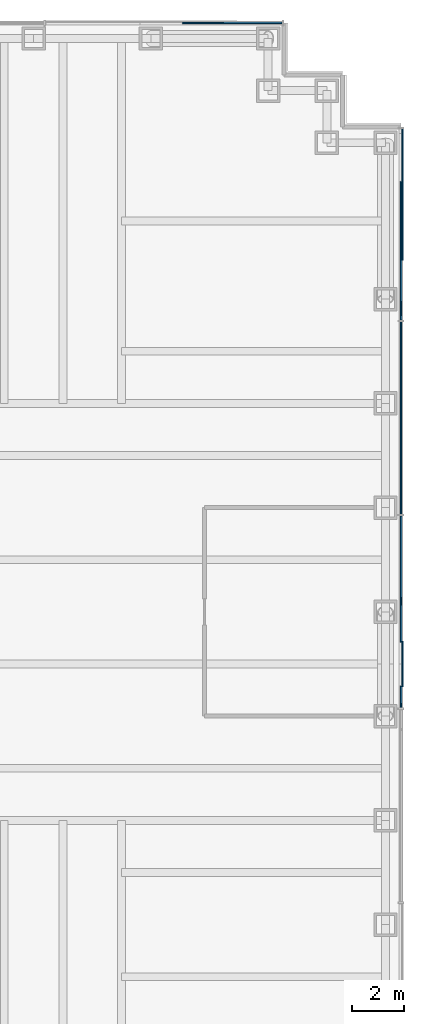
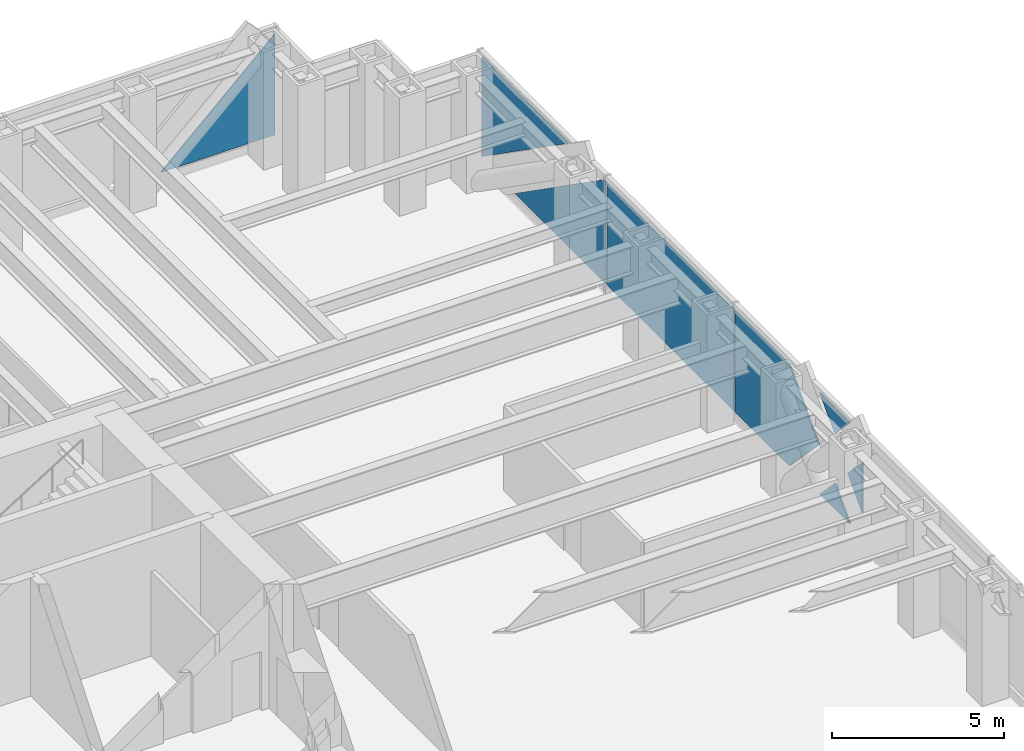
# One storey, part 12 of 17: 8 plates, 2 elements without a shape of their own.
"""IFC4 building model written with IfcOpenShell, lengths in metres."""

from ifc_helpers import new_model, si_unit, direction, frame, origin, origin_2d, place, context, subcontext, project, spatial, polyline, rectangle, outline, extrude, material, layer, layer_set, type_object, element, aggregate, save


model = new_model("IFC4")

# Units and contexts
model_context = context("Model", 3, precision=1e-05, world=origin(), true_north=direction((0.0, 1.0)))
body_context = subcontext(model_context, "Body", "Model", "MODEL_VIEW")
ifc_project = project(units=[si_unit("LENGTHUNIT", "METRE"), si_unit("AREAUNIT", "SQUARE_METRE"), si_unit("VOLUMEUNIT", "CUBIC_METRE"), si_unit("PLANEANGLEUNIT", "RADIAN"), si_unit("MASSUNIT", "GRAM", prefix="KILO")], contexts=[model_context])

# Site, building, storey
site_placement = place(None, origin())
site = spatial("IfcSite", under=ifc_project, at=site_placement, CompositionType="ELEMENT")
building_placement = place(site_placement, origin())
building = spatial("IfcBuilding", under=site, at=building_placement, Name="Rheinbord Bourse Tower", CompositionType="ELEMENT")
storey_placement = place(building_placement, frame((0.0, 0.0, 121.5)))
storey = spatial("IfcBuildingStorey", under=building, at=storey_placement, Name="L26", CompositionType="ELEMENT", Elevation=121.5)

# Curtain wall, plates
ifc_material_1 = material(Name="Dark glass and black aluminium", Category="aluminium")
curtain_wall_type = type_object("IfcCurtainWallType", Name="CW2 DARK GLASS CURTAIN WALL", PredefinedType="USERDEFINED", material=ifc_material_1)
curtain_wall_1_placement = place(storey_placement, origin())
curtain_wall_1 = element("IfcCurtainWall", 1, at=curtain_wall_1_placement, inside=storey, type_object=curtain_wall_type, Name="Curtain wall CW2 E L26", ObjectType="UNITISED CURTAIN WALL", PredefinedType="USERDEFINED")
ifc_material_2 = material(Name="Dark tinted triple insulating glass", Category="glass")
ifc_layer = layer(ifc_material_2, 0.050048828125)
ifc_layer_set = layer_set([ifc_layer], Name="CW2 DARK GLASS PANEL")
plate_type = type_object("IfcPlateType", Name="CW2 DARK GLASS PANEL", PredefinedType="CURTAIN_PANEL", material=ifc_layer_set)
plate_1_placement = place(storey_placement, frame((72.60009765625, 31.43994140625, 0.300048828125), z_axis=(0.0, 0.0, 1.0), x_axis=(0.0, 1.0, 0.0)))
plate_1 = element("IfcPlate", 2, at=plate_1_placement, type_object=plate_type, Name="CW2 panel 4.1", PredefinedType="CURTAIN_PANEL", context=body_context, shape_type="SweptSolid", body=[
    extrude(rectangle(XDim=7.3701171875, YDim=0.050048828125, at=origin_2d()), origin(), (0.0, 0.0, 1.0), 3.60009765625),
])
plate_2_placement = place(storey_placement, frame((72.625, 20.31494140625, 2.991943359375), z_axis=(-1.0, 0.0, 0.0), x_axis=(0.0, 0.689961879422, -0.723845705206)))
plate_2 = element("IfcPlate", 3, at=plate_2_placement, type_object=plate_type, Name="CW2 glass facet 1", PredefinedType="CURTAIN_PANEL", context=body_context, shape_type="SweptSolid", body=[
    extrude(outline(polyline([(0.0, 0.0), (1.232177734375, 0.0), (1.291259765625, 1.23095703125), (0.0, 0.0)])), origin(), (0.0, 0.0, 1.0), 0.050048828125),
])
plate_3_placement = place(storey_placement, frame((72.68017578125, 21.12109375, 0.300048828125), z_axis=(-1.0, 0.0, 0.0), x_axis=(0.0, 0.689655172414, 0.724137931034)))
plate_3 = element("IfcPlate", 4, at=plate_3_placement, type_object=plate_type, Name="CW2 glass facet 2", PredefinedType="CURTAIN_PANEL", context=body_context, shape_type="SweptSolid", body=[
    extrude(outline(polyline([(0.0, 0.0), (1.2744140625, 0.0), (1.21240234375, 1.27294921875), (0.0, 0.0)])), origin(), (0.0, 0.0, 1.0), 0.050048828125),
])
plate_4_placement = place(storey_placement, frame((72.68017578125, 22.87890625, 3.89990234375), z_axis=(-1.0, 0.0, 0.0), x_axis=(0.0, -0.689655172414, -0.724137931034)))
plate_4 = element("IfcPlate", 5, at=plate_4_placement, type_object=plate_type, Name="CW2 glass facet 3", PredefinedType="CURTAIN_PANEL", context=body_context, shape_type="SweptSolid", body=[
    extrude(outline(polyline([(0.0, 0.0), (1.2744140625, 0.0), (1.21240234375, 1.27294921875), (0.0, 0.0)])), origin(), (0.0, 0.0, 1.0), 0.050048828125),
])
plate_5_placement = place(storey_placement, frame((72.625, 27.68505859375, 3.89990234375), z_axis=(-1.0, 0.0, 0.0), x_axis=(0.0, 0.0, -1.0)))
plate_5 = element("IfcPlate", 6, at=plate_5_placement, type_object=plate_type, Name="CW2 glass facet 4", PredefinedType="CURTAIN_PANEL", context=body_context, shape_type="SweptSolid", body=[
    extrude(outline(polyline([(0.0, 0.0), (3.599853515625, 0.0), (3.599853515625, 3.135009765625), (1.7998046875, 4.85009765625), (0.0, 3.135009765625), (0.0, 0.0)])), origin(), (0.0, 0.0, 1.0), 0.050048828125),
])
plate_6_placement = place(storey_placement, frame((72.625, 35.195068359375, 0.300048828125), z_axis=(-1.0, 0.0, 0.0), x_axis=(0.0, 0.0, 1.0)))
plate_6 = element("IfcPlate", 7, at=plate_6_placement, type_object=plate_type, Name="CW2 glass facet 1", PredefinedType="CURTAIN_PANEL", context=body_context, shape_type="SweptSolid", body=[
    extrude(outline(polyline([(0.0, 0.0), (3.599853515625, 0.0), (3.599853515625, 0.178955078125), (0.0, 5.321044921875), (0.0, 0.0)])), origin(), (0.0, 0.0, 1.0), 0.050048828125),
])
plate_7_placement = place(storey_placement, frame((72.68017578125, 42.530029296875, 3.89990234375), z_axis=(-1.0, 0.0, 0.0), x_axis=(0.0, 0.0, -1.0)))
plate_7 = element("IfcPlate", 8, at=plate_7_placement, type_object=plate_type, Name="CW2 glass facet 2", PredefinedType="CURTAIN_PANEL", context=body_context, shape_type="SweptSolid", body=[
    extrude(outline(polyline([(0.0, 0.0), (3.532958984375, 0.0), (0.0, 5.046142578125), (0.0, 0.0)])), origin(), (0.0, 0.0, 1.0), 0.050048828125),
])
aggregate(curtain_wall_1, [plate_1, plate_2, plate_3, plate_4, plate_5, plate_6, plate_7])

# Curtain wall, plate
curtain_wall_2_placement = place(storey_placement, origin())
curtain_wall_2 = element("IfcCurtainWall", 9, at=curtain_wall_2_placement, inside=storey, type_object=curtain_wall_type, Name="Curtain wall CW2 N L26", ObjectType="UNITISED CURTAIN WALL", PredefinedType="USERDEFINED")
plate_8_placement = place(storey_placement, frame((68.030029296875, 46.625, 0.300048828125), z_axis=(0.0, -1.0, 0.0), x_axis=(0.0, 0.0, 1.0)))
plate_8 = element("IfcPlate", 10, at=plate_8_placement, type_object=plate_type, Name="CW2 glass facet 1", PredefinedType="CURTAIN_PANEL", context=body_context, shape_type="SweptSolid", body=[
    extrude(outline(polyline([(0.0, 0.0), (3.56689453125, 0.0), (0.0, 3.822021484375), (0.0, 0.0)])), origin(), (0.0, 0.0, 1.0), 0.050048828125),
])
aggregate(curtain_wall_2, [plate_8])

save(model, "model.ifc")
